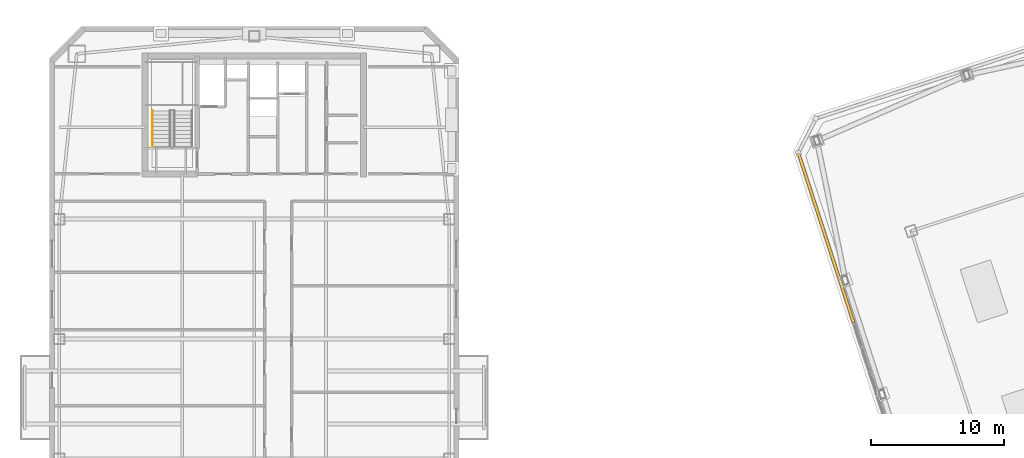
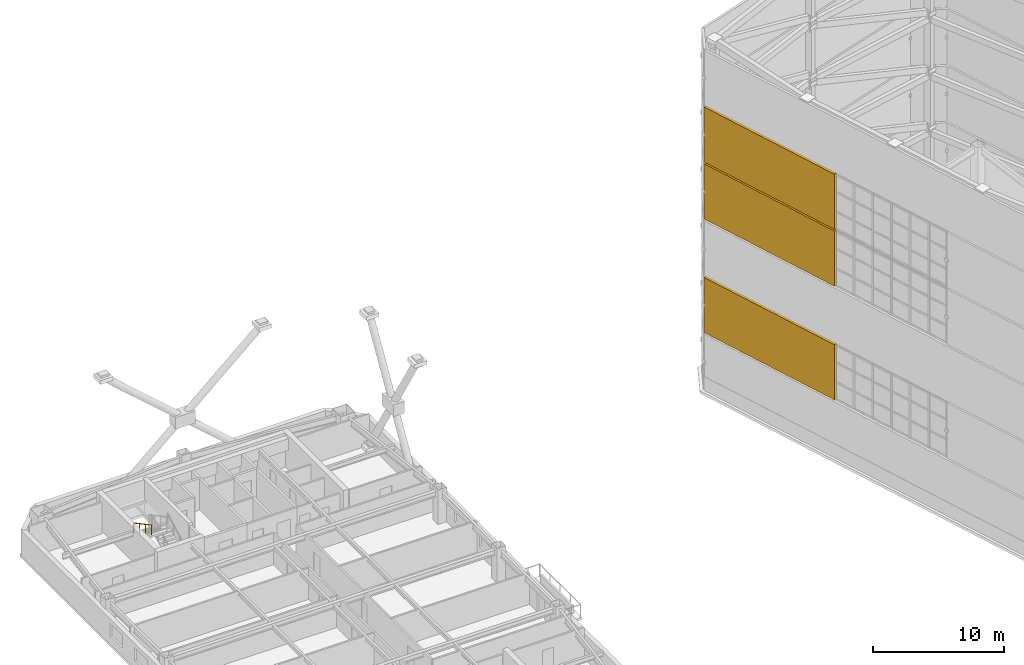
# One storey, part 54 of 56: 3 shading devices, 1 railing.
"""IFC4 building model written with IfcOpenShell, lengths in metres."""

from ifc_helpers import new_model, si_unit, direction, frame, origin, origin_2d, place, context, subcontext, project, spatial, rectangle, circle, extrude, material, layer, layer_set, type_object, element, save


model = new_model("IFC4")

# Units and contexts
model_context = context("Model", 3, precision=1e-05, world=origin(), true_north=direction((0.0, 1.0)))
body_context = subcontext(model_context, "Body", "Model", "MODEL_VIEW")
ifc_project = project(units=[si_unit("LENGTHUNIT", "METRE"), si_unit("AREAUNIT", "SQUARE_METRE"), si_unit("VOLUMEUNIT", "CUBIC_METRE"), si_unit("PLANEANGLEUNIT", "RADIAN"), si_unit("MASSUNIT", "GRAM", prefix="KILO")], contexts=[model_context])

# Site, building, storey
site_placement = place(None, origin())
site = spatial("IfcSite", under=ifc_project, at=site_placement, CompositionType="ELEMENT")
building_placement = place(site_placement, origin())
building = spatial("IfcBuilding", under=site, at=building_placement, Name="Qiaolan Cultural Towers", CompositionType="ELEMENT")
storey_placement = place(building_placement, frame((0.0, 0.0, 250.39990234375)))
storey = spatial("IfcBuildingStorey", under=building, at=storey_placement, Name="L68", CompositionType="ELEMENT", Elevation=250.39990234375)

# Railing
ifc_material_1 = material(Name="Stainless Steel S30408 Tubular Handrail", Category="steel")
railing_type = type_object("IfcRailingType", Name="RL-STAIR-HR", PredefinedType="HANDRAIL", material=ifc_material_1)
railing_placement = place(storey_placement, frame((22.35009765625, 51.14990234375, 1.760009765625)))
element("IfcRailing", 1, at=railing_placement, inside=storey, type_object=railing_type, Name="L68 ST-W2 stair handrail 2", PredefinedType="HANDRAIL", context=body_context, shape_type="SweptSolid", body=[
    extrude(circle(Radius=0.02392578125, at=origin_2d()), frame((0.0, 0.0, 0.8759765625), z_axis=(0.0, -0.882324228566, 0.470642067484), x_axis=(1.0, 0.0, 0.0)), (0.0, 0.0, 1.0), 3.06005859375),
    extrude(circle(Radius=0.02099609375, at=origin_2d()), origin(), (0.0, 0.0, 1.0), 0.851806640625),
    extrude(circle(Radius=0.02099609375, at=origin_2d()), frame((0.0, -0.89990234375, 0.47998046875)), (0.0, 0.0, 1.0), 0.851806640625),
    extrude(circle(Radius=0.02099609375, at=origin_2d()), frame((0.0, -1.800048828125, 0.960205078125)), (0.0, 0.0, 1.0), 0.851806640625),
    extrude(circle(Radius=0.02099609375, at=origin_2d()), frame((0.0, -2.699951171875, 1.440185546875)), (0.0, 0.0, 1.0), 0.851806640625),
])

# Shading devices
ifc_material_2 = material(Name="Fluorocarbon Coated Aluminium Acoustic Storm Louvre", Category="aluminium")
ifc_layer = layer(ifc_material_2, 0.179931640625)
ifc_layer_set = layer_set([ifc_layer], Name="Fluorocarbon Coated Aluminium Acoustic Storm Louvre")
shading_device_type = type_object("IfcShadingDeviceType", Name="SHD-CRN-LOUVRE", PredefinedType="USERDEFINED", material=ifc_layer_set)
for number, where, z_axis, x_axis, name in (
    (2, (72.971435546875, 41.58935546875, 5.38037109375), (0.0, 0.0, 1.0), (0.309017010974, -0.951056510902, 0.0), "T2 Crown Tier 2 Acoustic Louvre Flank 7L"),
    (3, (72.971435546875, 41.58935546875, 15.97998046875), (0.0, 0.0, 1.0), (0.309017010974, -0.951056510902, 0.0), "T2 Crown Tier 4 Acoustic Louvre Flank 7L"),
    (4, (72.971435546875, 41.58935546875, 21.2802734375), (0.0, 0.0, 1.0), (0.309017010974, -0.951056510902, 0.0), "T2 Crown Tier 5 Acoustic Louvre Flank 7L"),
):
    element("IfcShadingDevice", number, at=place(storey_placement, frame(where, z_axis=z_axis, x_axis=x_axis)), inside=storey, type_object=shading_device_type, Name=name, ObjectType="LOUVRE", PredefinedType="USERDEFINED", context=body_context, shape_type="SweptSolid", body=[
        extrude(rectangle(XDim=13.3798828125, YDim=0.219970703125, at=origin_2d()), origin(), (0.0, 0.0, 1.0), 5.139892578125),
    ])

save(model, "model.ifc")
